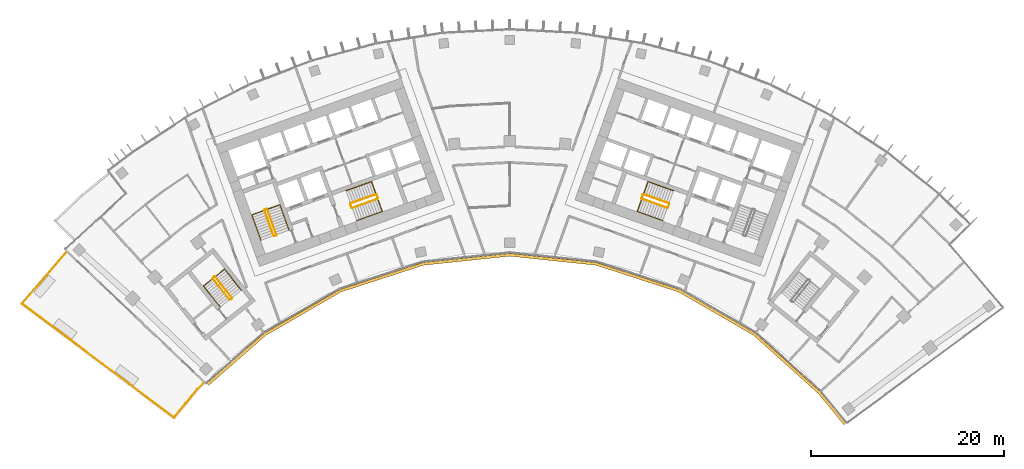
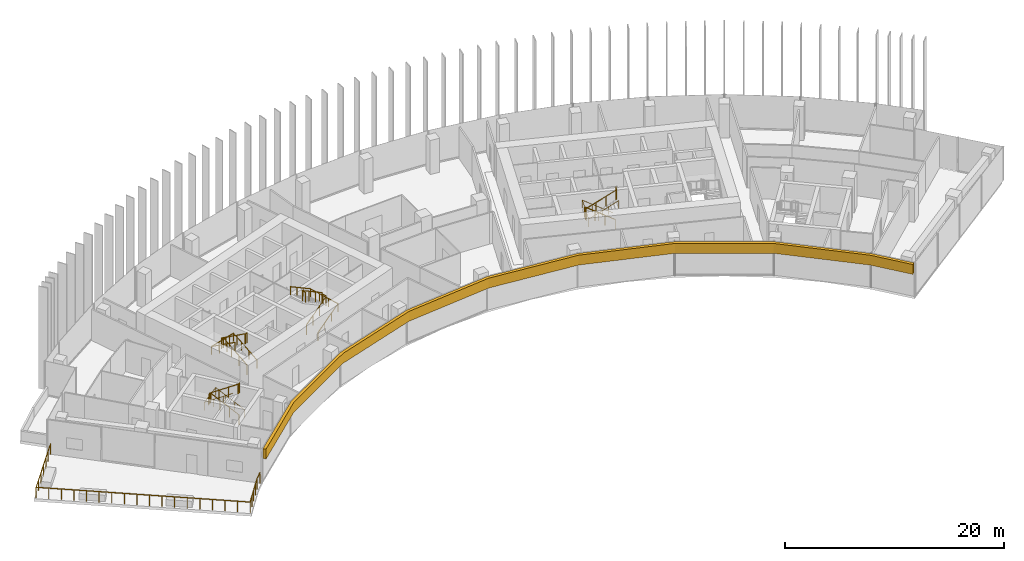
# One storey, part 19 of 20: 13 railings, 1 covering.
"""IFC4 building model written with IfcOpenShell, lengths in metres."""

from ifc_helpers import new_model, si_unit, direction, frame, origin, origin_2d, place, context, subcontext, project, spatial, polyline, circle, outline, extrude, material, layer, layer_set, type_object, element, save


model = new_model("IFC4")

# Units and contexts
model_context = context("Model", 3, precision=1e-05, world=origin(), true_north=direction((0.0, 1.0)))
body_context = subcontext(model_context, "Body", "Model", "MODEL_VIEW")
ifc_project = project(units=[si_unit("LENGTHUNIT", "METRE"), si_unit("AREAUNIT", "SQUARE_METRE"), si_unit("VOLUMEUNIT", "CUBIC_METRE"), si_unit("PLANEANGLEUNIT", "RADIAN"), si_unit("MASSUNIT", "GRAM", prefix="KILO")], contexts=[model_context])

# Site, building, storey
site_placement = place(None, origin())
site = spatial("IfcSite", under=ifc_project, at=site_placement, CompositionType="ELEMENT")
building_placement = place(site_placement, origin())
building = spatial("IfcBuilding", under=site, at=building_placement, Name="Stone Belt Terrace Tower", CompositionType="ELEMENT")
storey_placement = place(building_placement, frame((0.0, 0.0, 201.0)))
storey = spatial("IfcBuildingStorey", under=building, at=storey_placement, Name="L48", CompositionType="ELEMENT", Elevation=201.0)

# Railings
ifc_material_1 = material(Name="Structural steel C345", Category="steel")
railing_type_1 = type_object("IfcRailingType", Name="Stair guard 1100", PredefinedType="GUARDRAIL", material=ifc_material_1)
railing_1_placement = place(storey_placement, frame((-24.2119140625, 45.276123046875, 0.172607421875)))
element("IfcRailing", 1, at=railing_1_placement, inside=storey, type_object=railing_type_1, Name="L48 ST1A stair guard 1", PredefinedType="GUARDRAIL", context=body_context, shape_type="SweptSolid", body=[
    extrude(circle(Radius=0.02392578125, at=origin_2d()), frame((0.0, 0.0, 1.076171875), z_axis=(-0.288228637646, 0.800791768495, 0.525030280985), x_axis=(-0.940908529223, -0.338660803216, 0.0)), (0.0, 0.0, 1.0), 3.289794921875),
    extrude(circle(Radius=0.02392578125, at=origin_2d()), frame((-0.9482421875, 2.634521484375, 2.80322265625), z_axis=(-0.905209821074, 0.424964916, 0.0), x_axis=(-0.424964916, -0.905209821074, 0.0)), (0.0, 0.0, 1.0), 0.070556640625),
    extrude(circle(Radius=0.02392578125, at=origin_2d()), frame((-1.01220703125, 2.66455078125, 2.80322265625), z_axis=(-0.941105063269, -0.338114270461, 0.0), x_axis=(0.338114270461, -0.941105063269, 0.0)), (0.0, 0.0, 1.0), 0.199951171875),
    extrude(circle(Radius=0.02099609375, at=origin_2d()), origin(), (0.0, 0.0, 1.0), 1.052001953125),
    extrude(circle(Radius=0.02099609375, at=origin_2d()), frame((-0.316162109375, 0.878173828125, 0.57568359375)), (0.0, 0.0, 1.0), 1.052001953125),
    extrude(circle(Radius=0.02099609375, at=origin_2d()), frame((-0.632080078125, 1.75634765625, 1.151611328125)), (0.0, 0.0, 1.0), 1.052001953125),
    extrude(circle(Radius=0.02099609375, at=origin_2d()), frame((-0.9482421875, 2.634521484375, 1.727294921875)), (0.0, 0.0, 1.0), 1.052001953125),
    extrude(circle(Radius=0.02099609375, at=origin_2d()), frame((-1.01220703125, 2.66455078125, 1.727294921875)), (0.0, 0.0, 1.0), 1.052001953125),
    extrude(circle(Radius=0.02099609375, at=origin_2d()), frame((-1.200439453125, 2.596923828125, 1.727294921875)), (0.0, 0.0, 1.0), 1.052001953125),
])
railing_2_placement = place(storey_placement, frame((-25.4423828125, 47.80908203125, 2.07275390625)))
element("IfcRailing", 2, at=railing_2_placement, inside=storey, type_object=railing_type_1, Name="L48 ST1A stair guard 2", PredefinedType="GUARDRAIL", context=body_context, shape_type="SweptSolid", body=[
    extrude(circle(Radius=0.02392578125, at=origin_2d()), frame((0.0, 0.0, 1.076171875), z_axis=(0.288228637646, -0.800791768495, 0.525030280985), x_axis=(0.940908529223, 0.338660803216, 0.0)), (0.0, 0.0, 1.0), 3.289794921875),
    extrude(circle(Radius=0.02392578125, at=origin_2d()), frame((0.9482421875, -2.634521484375, 2.80322265625), z_axis=(0.903878284585, -0.427789722475, 0.0), x_axis=(0.427789722475, 0.903878284585, 0.0)), (0.0, 0.0, 1.0), 0.07080078125),
    extrude(circle(Radius=0.02392578125, at=origin_2d()), frame((1.01220703125, -2.664794921875, 2.80322265625), z_axis=(0.940575576748, 0.339584429008, 0.0), x_axis=(-0.339584429008, 0.940575576748, 0.0)), (0.0, 0.0, 1.0), 0.199951171875),
    extrude(circle(Radius=0.02099609375, at=origin_2d()), origin(), (0.0, 0.0, 1.0), 1.052001953125),
    extrude(circle(Radius=0.02099609375, at=origin_2d()), frame((0.316162109375, -0.878173828125, 0.57568359375)), (0.0, 0.0, 1.0), 1.052001953125),
    extrude(circle(Radius=0.02099609375, at=origin_2d()), frame((0.632080078125, -1.75634765625, 1.151611328125)), (0.0, 0.0, 1.0), 1.052001953125),
    extrude(circle(Radius=0.02099609375, at=origin_2d()), frame((0.9482421875, -2.634521484375, 1.727294921875)), (0.0, 0.0, 1.0), 1.052001953125),
    extrude(circle(Radius=0.02099609375, at=origin_2d()), frame((1.01220703125, -2.664794921875, 1.727294921875)), (0.0, 0.0, 1.0), 1.052001953125),
    extrude(circle(Radius=0.02099609375, at=origin_2d()), frame((1.2001953125, -2.596923828125, 1.727294921875)), (0.0, 0.0, 1.0), 1.052001953125),
])
railing_3_placement = place(storey_placement, frame((-16.33837890625, 48.056640625, 0.172607421875)))
element("IfcRailing", 3, at=railing_3_placement, inside=storey, type_object=railing_type_1, Name="L48 ST2A stair guard 1", PredefinedType="GUARDRAIL", context=body_context, shape_type="SweptSolid", body=[
    extrude(circle(Radius=0.02392578125, at=origin_2d()), frame((0.0, 0.0, 1.076171875), z_axis=(0.800808895155, 0.288160591223, 0.52504150989), x_axis=(-0.338583606334, 0.940936311087, 0.0)), (0.0, 0.0, 1.0), 3.289794921875),
    extrude(circle(Radius=0.02392578125, at=origin_2d()), frame((2.634521484375, 0.947998046875, 2.80322265625), z_axis=(0.427789722475, 0.903878284585, 0.0), x_axis=(-0.903878284585, 0.427789722475, 0.0)), (0.0, 0.0, 1.0), 0.07080078125),
    extrude(circle(Radius=0.02392578125, at=origin_2d()), frame((2.664794921875, 1.011962890625, 2.80322265625), z_axis=(-0.338654645739, 0.940910745459, 0.0), x_axis=(-0.940910745459, -0.338654645739, 0.0)), (0.0, 0.0, 1.0), 0.400146484375),
    extrude(circle(Radius=0.02099609375, at=origin_2d()), origin(), (0.0, 0.0, 1.0), 1.052001953125),
    extrude(circle(Radius=0.02099609375, at=origin_2d()), frame((0.878173828125, 0.31591796875, 0.57568359375)), (0.0, 0.0, 1.0), 1.052001953125),
    extrude(circle(Radius=0.02099609375, at=origin_2d()), frame((1.75634765625, 0.632080078125, 1.151611328125)), (0.0, 0.0, 1.0), 1.052001953125),
    extrude(circle(Radius=0.02099609375, at=origin_2d()), frame((2.634521484375, 0.947998046875, 1.727294921875)), (0.0, 0.0, 1.0), 1.052001953125),
    extrude(circle(Radius=0.02099609375, at=origin_2d()), frame((2.664794921875, 1.011962890625, 1.727294921875)), (0.0, 0.0, 1.0), 1.052001953125),
    extrude(circle(Radius=0.02099609375, at=origin_2d()), frame((2.529296875, 1.388427734375, 1.727294921875)), (0.0, 0.0, 1.0), 1.052001953125),
])
railing_4_placement = place(storey_placement, frame((-13.873046875, 49.47509765625, 2.07275390625)))
element("IfcRailing", 4, at=railing_4_placement, inside=storey, type_object=railing_type_1, Name="L48 ST2A stair guard 2", PredefinedType="GUARDRAIL", context=body_context, shape_type="SweptSolid", body=[
    extrude(circle(Radius=0.02392578125, at=origin_2d()), frame((0.0, 0.0, 1.076171875), z_axis=(-0.800808895155, -0.288160591223, 0.52504150989), x_axis=(0.338583606334, -0.940936311087, 0.0)), (0.0, 0.0, 1.0), 3.289794921875),
    extrude(circle(Radius=0.02392578125, at=origin_2d()), frame((-2.634521484375, -0.947998046875, 2.80322265625), z_axis=(-0.427789722475, -0.903878284585, 0.0), x_axis=(0.903878284585, -0.427789722475, 0.0)), (0.0, 0.0, 1.0), 0.07080078125),
    extrude(circle(Radius=0.02392578125, at=origin_2d()), frame((-2.664794921875, -1.011962890625, 2.80322265625), z_axis=(0.338654645739, -0.940910745459, 0.0), x_axis=(0.940910745459, 0.338654645739, 0.0)), (0.0, 0.0, 1.0), 0.400146484375),
    extrude(circle(Radius=0.02099609375, at=origin_2d()), origin(), (0.0, 0.0, 1.0), 1.052001953125),
    extrude(circle(Radius=0.02099609375, at=origin_2d()), frame((-0.878173828125, -0.31591796875, 0.57568359375)), (0.0, 0.0, 1.0), 1.052001953125),
    extrude(circle(Radius=0.02099609375, at=origin_2d()), frame((-1.75634765625, -0.632080078125, 1.151611328125)), (0.0, 0.0, 1.0), 1.052001953125),
    extrude(circle(Radius=0.02099609375, at=origin_2d()), frame((-2.634521484375, -0.947998046875, 1.727294921875)), (0.0, 0.0, 1.0), 1.052001953125),
    extrude(circle(Radius=0.02099609375, at=origin_2d()), frame((-2.664794921875, -1.011962890625, 1.727294921875)), (0.0, 0.0, 1.0), 1.052001953125),
    extrude(circle(Radius=0.02099609375, at=origin_2d()), frame((-2.529296875, -1.388427734375, 1.727294921875)), (0.0, 0.0, 1.0), 1.052001953125),
])
railing_5_placement = place(storey_placement, frame((16.507568359375, 48.527099609375, 0.172607421875)))
element("IfcRailing", 5, at=railing_5_placement, inside=storey, type_object=railing_type_1, Name="L48 ST2B stair guard 1", PredefinedType="GUARDRAIL", context=body_context, shape_type="SweptSolid", body=[
    extrude(circle(Radius=0.02392578125, at=origin_2d()), frame((0.0, 0.0, 1.076171875), z_axis=(-0.800808895155, 0.288160591223, 0.52504150989), x_axis=(-0.338583606334, -0.940936311087, 0.0)), (0.0, 0.0, 1.0), 3.289794921875),
    extrude(circle(Radius=0.02392578125, at=origin_2d()), frame((-2.634521484375, 0.947998046875, 2.80322265625), z_axis=(-0.905209821074, -0.424964916, 0.0), x_axis=(0.424964916, -0.905209821074, 0.0)), (0.0, 0.0, 1.0), 0.070556640625),
    extrude(circle(Radius=0.02392578125, at=origin_2d()), frame((-2.698486328125, 0.91796875, 2.80322265625), z_axis=(-0.338654645739, -0.940910745459, 0.0), x_axis=(0.940910745459, -0.338654645739, 0.0)), (0.0, 0.0, 1.0), 0.400146484375),
    extrude(circle(Radius=0.02099609375, at=origin_2d()), origin(), (0.0, 0.0, 1.0), 1.052001953125),
    extrude(circle(Radius=0.02099609375, at=origin_2d()), frame((-0.878173828125, 0.31591796875, 0.57568359375)), (0.0, 0.0, 1.0), 1.052001953125),
    extrude(circle(Radius=0.02099609375, at=origin_2d()), frame((-1.75634765625, 0.632080078125, 1.151611328125)), (0.0, 0.0, 1.0), 1.052001953125),
    extrude(circle(Radius=0.02099609375, at=origin_2d()), frame((-2.634521484375, 0.947998046875, 1.727294921875)), (0.0, 0.0, 1.0), 1.052001953125),
    extrude(circle(Radius=0.02099609375, at=origin_2d()), frame((-2.698486328125, 0.91796875, 1.727294921875)), (0.0, 0.0, 1.0), 1.052001953125),
    extrude(circle(Radius=0.02099609375, at=origin_2d()), frame((-2.833984375, 0.54150390625, 1.727294921875)), (0.0, 0.0, 1.0), 1.052001953125),
])
railing_6_placement = place(storey_placement, frame((13.703857421875, 49.004638671875, 2.07275390625)))
element("IfcRailing", 6, at=railing_6_placement, inside=storey, type_object=railing_type_1, Name="L48 ST2B stair guard 2", PredefinedType="GUARDRAIL", context=body_context, shape_type="SweptSolid", body=[
    extrude(circle(Radius=0.02392578125, at=origin_2d()), frame((0.0, 0.0, 1.076171875), z_axis=(0.800808895155, -0.288160591223, 0.52504150989), x_axis=(0.338583606334, 0.940936311087, 0.0)), (0.0, 0.0, 1.0), 3.289794921875),
    extrude(circle(Radius=0.02392578125, at=origin_2d()), frame((2.634521484375, -0.947998046875, 2.80322265625), z_axis=(0.905209821074, 0.424964916, 0.0), x_axis=(-0.424964916, 0.905209821074, 0.0)), (0.0, 0.0, 1.0), 0.070556640625),
    extrude(circle(Radius=0.02392578125, at=origin_2d()), frame((2.698486328125, -0.91796875, 2.80322265625), z_axis=(0.338654645739, 0.940910745459, 0.0), x_axis=(-0.940910745459, 0.338654645739, 0.0)), (0.0, 0.0, 1.0), 0.400146484375),
    extrude(circle(Radius=0.02099609375, at=origin_2d()), origin(), (0.0, 0.0, 1.0), 1.052001953125),
    extrude(circle(Radius=0.02099609375, at=origin_2d()), frame((0.878173828125, -0.31591796875, 0.57568359375)), (0.0, 0.0, 1.0), 1.052001953125),
    extrude(circle(Radius=0.02099609375, at=origin_2d()), frame((1.75634765625, -0.632080078125, 1.151611328125)), (0.0, 0.0, 1.0), 1.052001953125),
    extrude(circle(Radius=0.02099609375, at=origin_2d()), frame((2.634521484375, -0.947998046875, 1.727294921875)), (0.0, 0.0, 1.0), 1.052001953125),
    extrude(circle(Radius=0.02099609375, at=origin_2d()), frame((2.698486328125, -0.91796875, 1.727294921875)), (0.0, 0.0, 1.0), 1.052001953125),
    extrude(circle(Radius=0.02099609375, at=origin_2d()), frame((2.833984375, -0.54150390625, 1.727294921875)), (0.0, 0.0, 1.0), 1.052001953125),
])
railing_7_placement = place(storey_placement, frame((-28.814208984375, 38.734619140625, 0.172607421875)))
element("IfcRailing", 7, at=railing_7_placement, inside=storey, type_object=railing_type_1, Name="L48 ST3A stair guard 1", PredefinedType="GUARDRAIL", context=body_context, shape_type="SweptSolid", body=[
    extrude(circle(Radius=0.02392578125, at=origin_2d()), frame((0.0, 0.0, 1.076171875), z_axis=(-0.530306321799, 0.665665785969, 0.525037395288), x_axis=(-0.782143211408, -0.623098705543, 0.0)), (0.0, 0.0, 1.0), 3.289794921875),
    extrude(circle(Radius=0.02392578125, at=origin_2d()), frame((-1.74462890625, 2.18994140625, 2.80322265625), z_axis=(-0.993883734674, 0.110431526075, 0.0), x_axis=(-0.110431526075, -0.993883734674, 0.0)), (0.0, 0.0, 1.0), 0.07080078125),
    extrude(circle(Radius=0.02392578125, at=origin_2d()), frame((-1.81494140625, 2.19775390625, 2.80322265625), z_axis=(-0.782533463299, -0.622608527742, 0.0), x_axis=(0.622608527742, -0.782533463299, 0.0)), (0.0, 0.0, 1.0), 0.199951171875),
    extrude(circle(Radius=0.02099609375, at=origin_2d()), origin(), (0.0, 0.0, 1.0), 1.052001953125),
    extrude(circle(Radius=0.02099609375, at=origin_2d()), frame((-0.58154296875, 0.72998046875, 0.57568359375)), (0.0, 0.0, 1.0), 1.052001953125),
    extrude(circle(Radius=0.02099609375, at=origin_2d()), frame((-1.1630859375, 1.4599609375, 1.151611328125)), (0.0, 0.0, 1.0), 1.052001953125),
    extrude(circle(Radius=0.02099609375, at=origin_2d()), frame((-1.74462890625, 2.18994140625, 1.727294921875)), (0.0, 0.0, 1.0), 1.052001953125),
    extrude(circle(Radius=0.02099609375, at=origin_2d()), frame((-1.81494140625, 2.19775390625, 1.727294921875)), (0.0, 0.0, 1.0), 1.052001953125),
    extrude(circle(Radius=0.02099609375, at=origin_2d()), frame((-1.971435546875, 2.0732421875, 1.727294921875)), (0.0, 0.0, 1.0), 1.052001953125),
])
railing_8_placement = place(storey_placement, frame((-30.793701171875, 40.737548828125, 2.07275390625)))
element("IfcRailing", 8, at=railing_8_placement, inside=storey, type_object=railing_type_1, Name="L48 ST3A stair guard 2", PredefinedType="GUARDRAIL", context=body_context, shape_type="SweptSolid", body=[
    extrude(circle(Radius=0.02392578125, at=origin_2d()), frame((0.0, 0.0, 1.076171875), z_axis=(0.530359659125, -0.665639588968, 0.525016732659), x_axis=(0.782100716982, 0.62315204284, 0.0)), (0.0, 0.0, 1.0), 3.2900390625),
    extrude(circle(Radius=0.02392578125, at=origin_2d()), frame((1.744873046875, -2.18994140625, 2.80322265625), z_axis=(0.993499272973, -0.113838458361, 0.0), x_axis=(0.113838458361, 0.993499272973, 0.0)), (0.0, 0.0, 1.0), 0.07080078125),
    extrude(circle(Radius=0.02392578125, at=origin_2d()), frame((1.815185546875, -2.197998046875, 2.80322265625), z_axis=(0.781464082609, 0.623950228458, 0.0), x_axis=(-0.623950228458, 0.781464082609, 0.0)), (0.0, 0.0, 1.0), 0.199951171875),
    extrude(circle(Radius=0.02099609375, at=origin_2d()), origin(), (0.0, 0.0, 1.0), 1.052001953125),
    extrude(circle(Radius=0.02099609375, at=origin_2d()), frame((0.58154296875, -0.72998046875, 0.57568359375)), (0.0, 0.0, 1.0), 1.052001953125),
    extrude(circle(Radius=0.02099609375, at=origin_2d()), frame((1.163330078125, -1.4599609375, 1.151611328125)), (0.0, 0.0, 1.0), 1.052001953125),
    extrude(circle(Radius=0.02099609375, at=origin_2d()), frame((1.744873046875, -2.18994140625, 1.727294921875)), (0.0, 0.0, 1.0), 1.052001953125),
    extrude(circle(Radius=0.02099609375, at=origin_2d()), frame((1.815185546875, -2.197998046875, 1.727294921875)), (0.0, 0.0, 1.0), 1.052001953125),
    extrude(circle(Radius=0.02099609375, at=origin_2d()), frame((1.971435546875, -2.0732421875, 1.727294921875)), (0.0, 0.0, 1.0), 1.052001953125),
])
railing_type_2 = type_object("IfcRailingType", Name="Stair handrail 900", PredefinedType="HANDRAIL", material=ifc_material_1)
railing_9_placement = place(storey_placement, frame((-22.894775390625, 45.750244140625, 0.172607421875)))
element("IfcRailing", 9, at=railing_9_placement, inside=storey, type_object=railing_type_2, Name="L48 ST1A stair handrail 1", PredefinedType="HANDRAIL", context=body_context, shape_type="SweptSolid", body=[
    extrude(circle(Radius=0.02392578125, at=origin_2d()), frame((0.0, 0.0, 0.8759765625), z_axis=(-0.288160591223, 0.800808895155, 0.52504150989), x_axis=(-0.940936311087, -0.338583606334, 0.0)), (0.0, 0.0, 1.0), 3.289794921875),
    extrude(circle(Radius=0.02392578125, at=origin_2d()), frame((-0.947998046875, 2.634521484375, 2.60302734375), z_axis=(-0.939460408074, -0.338105101667, 0.055669398135), x_axis=(0.338630230244, -0.940919532779, 0.0)), (0.0, 0.0, 1.0), 3.10498046875),
    extrude(circle(Radius=0.02392578125, at=origin_2d()), frame((-3.864990234375, 1.584716796875, 2.77587890625), z_axis=(0.288228637646, -0.800791768495, 0.525030280985), x_axis=(0.940908529223, 0.338660803216, 0.0)), (0.0, 0.0, 1.0), 3.289794921875),
    extrude(circle(Radius=0.02099609375, at=origin_2d()), origin(), (0.0, 0.0, 1.0), 0.851806640625),
    extrude(circle(Radius=0.02099609375, at=origin_2d()), frame((-0.31591796875, 0.878173828125, 0.57568359375)), (0.0, 0.0, 1.0), 0.851806640625),
    extrude(circle(Radius=0.02099609375, at=origin_2d()), frame((-0.632080078125, 1.75634765625, 1.151611328125)), (0.0, 0.0, 1.0), 0.851806640625),
    extrude(circle(Radius=0.02099609375, at=origin_2d()), frame((-0.947998046875, 2.634521484375, 1.727294921875)), (0.0, 0.0, 1.0), 0.851806640625),
    extrude(circle(Radius=0.02099609375, at=origin_2d()), frame((-1.92041015625, 2.28466796875, 1.784912109375)), (0.0, 0.0, 1.0), 0.851806640625),
    extrude(circle(Radius=0.02099609375, at=origin_2d()), frame((-2.892578125, 1.9345703125, 1.842529296875)), (0.0, 0.0, 1.0), 0.851806640625),
    extrude(circle(Radius=0.02099609375, at=origin_2d()), frame((-3.864990234375, 1.584716796875, 1.900146484375)), (0.0, 0.0, 1.0), 0.851806640625),
    extrude(circle(Radius=0.02099609375, at=origin_2d()), frame((-3.548828125, 0.70654296875, 2.475830078125)), (0.0, 0.0, 1.0), 0.851806640625),
    extrude(circle(Radius=0.02099609375, at=origin_2d()), frame((-3.23291015625, -0.171630859375, 3.0517578125)), (0.0, 0.0, 1.0), 0.851806640625),
    extrude(circle(Radius=0.02099609375, at=origin_2d()), frame((-2.916748046875, -1.0498046875, 3.62744140625)), (0.0, 0.0, 1.0), 0.851806640625),
])
railing_10_placement = place(storey_placement, frame((-15.8642578125, 46.7392578125, 0.172607421875)))
element("IfcRailing", 10, at=railing_10_placement, inside=storey, type_object=railing_type_2, Name="L48 ST2A stair handrail 1", PredefinedType="HANDRAIL", context=body_context, shape_type="SweptSolid", body=[
    extrude(circle(Radius=0.02392578125, at=origin_2d()), frame((0.0, 0.0, 0.8759765625), z_axis=(0.800791768495, 0.288228637646, 0.525030280985), x_axis=(-0.338660803216, 0.940908529223, 0.0)), (0.0, 0.0, 1.0), 3.289794921875),
    extrude(circle(Radius=0.02392578125, at=origin_2d()), frame((2.634521484375, 0.9482421875, 2.60302734375), z_axis=(-0.338158948057, 0.939634149308, 0.052308615955), x_axis=(-0.940922302781, -0.338622533404, 0.0)), (0.0, 0.0, 1.0), 3.304443359375),
    extrude(circle(Radius=0.02392578125, at=origin_2d()), frame((1.51708984375, 4.05322265625, 2.77587890625), z_axis=(-0.800791768495, -0.288228637646, 0.525030280985), x_axis=(0.338660803216, -0.940908529223, 0.0)), (0.0, 0.0, 1.0), 3.289794921875),
    extrude(circle(Radius=0.02099609375, at=origin_2d()), origin(), (0.0, 0.0, 1.0), 0.851806640625),
    extrude(circle(Radius=0.02099609375, at=origin_2d()), frame((0.878173828125, 0.316162109375, 0.57568359375)), (0.0, 0.0, 1.0), 0.851806640625),
    extrude(circle(Radius=0.02099609375, at=origin_2d()), frame((1.75634765625, 0.632080078125, 1.151611328125)), (0.0, 0.0, 1.0), 0.851806640625),
    extrude(circle(Radius=0.02099609375, at=origin_2d()), frame((2.634521484375, 0.9482421875, 1.727294921875)), (0.0, 0.0, 1.0), 0.851806640625),
    extrude(circle(Radius=0.02099609375, at=origin_2d()), frame((2.261962890625, 1.983154296875, 1.784912109375)), (0.0, 0.0, 1.0), 0.851806640625),
    extrude(circle(Radius=0.02099609375, at=origin_2d()), frame((1.8896484375, 3.018310546875, 1.842529296875)), (0.0, 0.0, 1.0), 0.851806640625),
    extrude(circle(Radius=0.02099609375, at=origin_2d()), frame((1.51708984375, 4.05322265625, 1.900146484375)), (0.0, 0.0, 1.0), 0.851806640625),
    extrude(circle(Radius=0.02099609375, at=origin_2d()), frame((0.638916015625, 3.737060546875, 2.475830078125)), (0.0, 0.0, 1.0), 0.851806640625),
    extrude(circle(Radius=0.02099609375, at=origin_2d()), frame((-0.2392578125, 3.421142578125, 3.0517578125)), (0.0, 0.0, 1.0), 0.851806640625),
    extrude(circle(Radius=0.02099609375, at=origin_2d()), frame((-1.117431640625, 3.10498046875, 3.62744140625)), (0.0, 0.0, 1.0), 0.851806640625),
])
railing_11_placement = place(storey_placement, frame((16.981689453125, 49.84423828125, 0.172607421875)))
element("IfcRailing", 11, at=railing_11_placement, inside=storey, type_object=railing_type_2, Name="L48 ST2B stair handrail 1", PredefinedType="HANDRAIL", context=body_context, shape_type="SweptSolid", body=[
    extrude(circle(Radius=0.02392578125, at=origin_2d()), frame((0.0, 0.0, 0.8759765625), z_axis=(-0.800791768495, 0.288228637646, 0.525030280985), x_axis=(-0.338660803216, -0.940908529223, 0.0)), (0.0, 0.0, 1.0), 3.289794921875),
    extrude(circle(Radius=0.02392578125, at=origin_2d()), frame((-2.634521484375, 0.9482421875, 2.60302734375), z_axis=(-0.338158948057, -0.939634149308, 0.052308615955), x_axis=(0.940922302781, -0.338622533404, 0.0)), (0.0, 0.0, 1.0), 3.304443359375),
    extrude(circle(Radius=0.02392578125, at=origin_2d()), frame((-3.751953125, -2.15673828125, 2.77587890625), z_axis=(0.800791768495, -0.288228637646, 0.525030280985), x_axis=(0.338660803216, 0.940908529223, 0.0)), (0.0, 0.0, 1.0), 3.289794921875),
    extrude(circle(Radius=0.02099609375, at=origin_2d()), origin(), (0.0, 0.0, 1.0), 0.851806640625),
    extrude(circle(Radius=0.02099609375, at=origin_2d()), frame((-0.878173828125, 0.316162109375, 0.57568359375)), (0.0, 0.0, 1.0), 0.851806640625),
    extrude(circle(Radius=0.02099609375, at=origin_2d()), frame((-1.75634765625, 0.632080078125, 1.151611328125)), (0.0, 0.0, 1.0), 0.851806640625),
    extrude(circle(Radius=0.02099609375, at=origin_2d()), frame((-2.634521484375, 0.9482421875, 1.727294921875)), (0.0, 0.0, 1.0), 0.851806640625),
    extrude(circle(Radius=0.02099609375, at=origin_2d()), frame((-3.007080078125, -0.086669921875, 1.784912109375)), (0.0, 0.0, 1.0), 0.851806640625),
    extrude(circle(Radius=0.02099609375, at=origin_2d()), frame((-3.37939453125, -1.121826171875, 1.842529296875)), (0.0, 0.0, 1.0), 0.851806640625),
    extrude(circle(Radius=0.02099609375, at=origin_2d()), frame((-3.751953125, -2.15673828125, 1.900146484375)), (0.0, 0.0, 1.0), 0.851806640625),
    extrude(circle(Radius=0.02099609375, at=origin_2d()), frame((-2.873779296875, -2.472900390625, 2.475830078125)), (0.0, 0.0, 1.0), 0.851806640625),
    extrude(circle(Radius=0.02099609375, at=origin_2d()), frame((-1.99560546875, -2.788818359375, 3.0517578125)), (0.0, 0.0, 1.0), 0.851806640625),
    extrude(circle(Radius=0.02099609375, at=origin_2d()), frame((-1.117431640625, -3.10498046875, 3.62744140625)), (0.0, 0.0, 1.0), 0.851806640625),
])
railing_12_placement = place(storey_placement, frame((-27.836669921875, 39.513427734375, 0.172607421875)))
element("IfcRailing", 12, at=railing_12_placement, inside=storey, type_object=railing_type_2, Name="L48 ST3A stair handrail 1", PredefinedType="HANDRAIL", context=body_context, shape_type="SweptSolid", body=[
    extrude(circle(Radius=0.02392578125, at=origin_2d()), frame((0.0, 0.0, 0.8759765625), z_axis=(-0.530306321799, 0.665665785969, 0.525037395288), x_axis=(-0.782143211408, -0.623098705543, 0.0)), (0.0, 0.0, 1.0), 3.289794921875),
    extrude(circle(Radius=0.02392578125, at=origin_2d()), frame((-1.74462890625, 2.18994140625, 2.60302734375), z_axis=(-0.78065703189, -0.621914732429, 0.061617076765), x_axis=(0.623098705543, -0.782143211408, 0.0)), (0.0, 0.0, 1.0), 2.80517578125),
    extrude(circle(Radius=0.02392578125, at=origin_2d()), frame((-3.9345703125, 0.4453125, 2.77587890625), z_axis=(0.530306321799, -0.665665785969, 0.525037395288), x_axis=(0.782143211408, 0.623098705543, 0.0)), (0.0, 0.0, 1.0), 3.289794921875),
    extrude(circle(Radius=0.02099609375, at=origin_2d()), origin(), (0.0, 0.0, 1.0), 0.851806640625),
    extrude(circle(Radius=0.02099609375, at=origin_2d()), frame((-0.58154296875, 0.72998046875, 0.57568359375)), (0.0, 0.0, 1.0), 0.851806640625),
    extrude(circle(Radius=0.02099609375, at=origin_2d()), frame((-1.1630859375, 1.4599609375, 1.151611328125)), (0.0, 0.0, 1.0), 0.851806640625),
    extrude(circle(Radius=0.02099609375, at=origin_2d()), frame((-1.74462890625, 2.18994140625, 1.727294921875)), (0.0, 0.0, 1.0), 0.851806640625),
    extrude(circle(Radius=0.02099609375, at=origin_2d()), frame((-2.474609375, 1.6083984375, 1.784912109375)), (0.0, 0.0, 1.0), 0.851806640625),
    extrude(circle(Radius=0.02099609375, at=origin_2d()), frame((-3.20458984375, 1.02685546875, 1.842529296875)), (0.0, 0.0, 1.0), 0.851806640625),
    extrude(circle(Radius=0.02099609375, at=origin_2d()), frame((-3.9345703125, 0.4453125, 1.900146484375)), (0.0, 0.0, 1.0), 0.851806640625),
    extrude(circle(Radius=0.02099609375, at=origin_2d()), frame((-3.35302734375, -0.28466796875, 2.475830078125)), (0.0, 0.0, 1.0), 0.851806640625),
    extrude(circle(Radius=0.02099609375, at=origin_2d()), frame((-2.771484375, -1.0146484375, 3.0517578125)), (0.0, 0.0, 1.0), 0.851806640625),
    extrude(circle(Radius=0.02099609375, at=origin_2d()), frame((-2.18994140625, -1.74462890625, 3.62744140625)), (0.0, 0.0, 1.0), 0.851806640625),
])
ifc_material_2 = material(Name="Stainless steel AISI 304", Category="steel")
railing_type_3 = type_object("IfcRailingType", Name="Terrace guard 1200", PredefinedType="GUARDRAIL", material=ifc_material_2)
railing_13_placement = place(storey_placement, frame((-45.970458984375, 43.4755859375, 0.0)))
element("IfcRailing", 13, at=railing_13_placement, inside=storey, type_object=railing_type_3, Name="GUARD L48 1.1", PredefinedType="GUARDRAIL", context=body_context, shape_type="SweptSolid", body=[
    extrude(circle(Radius=0.02490234375, at=origin_2d()), frame((0.0, 0.0, 1.1748046875), z_axis=(-0.652741989614, -0.757580289471, 0.0), x_axis=(0.757580289471, -0.652741989614, 0.0)), (0.0, 0.0, 1.0), 7.06298828125),
    extrude(circle(Radius=0.02490234375, at=origin_2d()), frame((-4.6103515625, -5.350830078125, 1.1748046875), z_axis=(0.799989587706, -0.600013882807, 0.0), x_axis=(0.600013882807, 0.799989587706, 0.0)), (0.0, 0.0, 1.0), 19.696044921875),
    extrude(circle(Radius=0.02490234375, at=origin_2d()), frame((11.146240234375, -17.168701171875, 1.1748046875), z_axis=(0.635242403601, 0.772312817883, 0.0), x_axis=(-0.772312817883, 0.635242403601, 0.0)), (0.0, 0.0, 1.0), 3.75634765625),
    extrude(circle(Radius=0.02490234375, at=origin_2d()), frame((13.532470703125, -14.267578125, 1.1748046875), z_axis=(0.707106781187, 0.707106781187, 0.0), x_axis=(-0.707106781187, 0.707106781187, 0.0)), (0.0, 0.0, 1.0), 1.021728515625),
    extrude(circle(Radius=0.02001953125, at=origin_2d()), origin(), (0.0, 0.0, 1.0), 1.14990234375),
    extrude(circle(Radius=0.02001953125, at=origin_2d()), frame((-0.768310546875, -0.891845703125, 0.0)), (0.0, 0.0, 1.0), 1.14990234375),
    extrude(circle(Radius=0.02001953125, at=origin_2d()), frame((-1.536865234375, -1.78369140625, 0.0)), (0.0, 0.0, 1.0), 1.14990234375),
    extrude(circle(Radius=0.02001953125, at=origin_2d()), frame((-2.30517578125, -2.67529296875, 0.0)), (0.0, 0.0, 1.0), 1.14990234375),
    extrude(circle(Radius=0.02001953125, at=origin_2d()), frame((-3.073486328125, -3.567138671875, 0.0)), (0.0, 0.0, 1.0), 1.14990234375),
    extrude(circle(Radius=0.02001953125, at=origin_2d()), frame((-3.842041015625, -4.458984375, 0.0)), (0.0, 0.0, 1.0), 1.14990234375),
    extrude(circle(Radius=0.02001953125, at=origin_2d()), frame((-4.6103515625, -5.350830078125, 0.0)), (0.0, 0.0, 1.0), 1.14990234375),
    extrude(circle(Radius=0.02001953125, at=origin_2d()), frame((-3.68359375, -6.0458984375, 0.0)), (0.0, 0.0, 1.0), 1.14990234375),
    extrude(circle(Radius=0.02001953125, at=origin_2d()), frame((-2.756591796875, -6.7412109375, 0.0)), (0.0, 0.0, 1.0), 1.14990234375),
    extrude(circle(Radius=0.02001953125, at=origin_2d()), frame((-1.829833984375, -7.436279296875, 0.0)), (0.0, 0.0, 1.0), 1.14990234375),
    extrude(circle(Radius=0.02001953125, at=origin_2d()), frame((-0.90283203125, -8.131591796875, 0.0)), (0.0, 0.0, 1.0), 1.14990234375),
    extrude(circle(Radius=0.02001953125, at=origin_2d()), frame((0.02392578125, -8.82666015625, 0.0)), (0.0, 0.0, 1.0), 1.14990234375),
    extrude(circle(Radius=0.02001953125, at=origin_2d()), frame((0.95068359375, -9.521728515625, 0.0)), (0.0, 0.0, 1.0), 1.14990234375),
    extrude(circle(Radius=0.02001953125, at=origin_2d()), frame((1.877685546875, -10.217041015625, 0.0)), (0.0, 0.0, 1.0), 1.14990234375),
    extrude(circle(Radius=0.02001953125, at=origin_2d()), frame((2.804443359375, -10.912109375, 0.0)), (0.0, 0.0, 1.0), 1.14990234375),
    extrude(circle(Radius=0.02001953125, at=origin_2d()), frame((3.7314453125, -11.607421875, 0.0)), (0.0, 0.0, 1.0), 1.14990234375),
    extrude(circle(Radius=0.02001953125, at=origin_2d()), frame((4.658203125, -12.302490234375, 0.0)), (0.0, 0.0, 1.0), 1.14990234375),
    extrude(circle(Radius=0.02001953125, at=origin_2d()), frame((5.585205078125, -12.997802734375, 0.0)), (0.0, 0.0, 1.0), 1.14990234375),
    extrude(circle(Radius=0.02001953125, at=origin_2d()), frame((6.511962890625, -13.69287109375, 0.0)), (0.0, 0.0, 1.0), 1.14990234375),
    extrude(circle(Radius=0.02001953125, at=origin_2d()), frame((7.438720703125, -14.387939453125, 0.0)), (0.0, 0.0, 1.0), 1.14990234375),
    extrude(circle(Radius=0.02001953125, at=origin_2d()), frame((8.36572265625, -15.083251953125, 0.0)), (0.0, 0.0, 1.0), 1.14990234375),
    extrude(circle(Radius=0.02001953125, at=origin_2d()), frame((9.29248046875, -15.7783203125, 0.0)), (0.0, 0.0, 1.0), 1.14990234375),
    extrude(circle(Radius=0.02001953125, at=origin_2d()), frame((10.219482421875, -16.4736328125, 0.0)), (0.0, 0.0, 1.0), 1.14990234375),
    extrude(circle(Radius=0.02001953125, at=origin_2d()), frame((11.146240234375, -17.168701171875, 0.0)), (0.0, 0.0, 1.0), 1.14990234375),
    extrude(circle(Radius=0.02001953125, at=origin_2d()), frame((11.74267578125, -16.443359375, 0.0)), (0.0, 0.0, 1.0), 1.14990234375),
    extrude(circle(Radius=0.02001953125, at=origin_2d()), frame((12.33935546875, -15.71826171875, 0.0)), (0.0, 0.0, 1.0), 1.14990234375),
    extrude(circle(Radius=0.02001953125, at=origin_2d()), frame((12.93603515625, -14.992919921875, 0.0)), (0.0, 0.0, 1.0), 1.14990234375),
    extrude(circle(Radius=0.02001953125, at=origin_2d()), frame((13.532470703125, -14.267578125, 0.0)), (0.0, 0.0, 1.0), 1.14990234375),
    extrude(circle(Radius=0.02001953125, at=origin_2d()), frame((14.2548828125, -13.545166015625, 0.0)), (0.0, 0.0, 1.0), 1.14990234375),
])

# Covering
ifc_material_3 = material(Name="Terracotta coloured glazed ceramic", Category="masonry")
ifc_layer = layer(ifc_material_3, 0.300048828125)
ifc_layer_set = layer_set([ifc_layer], Name="Terracotta spandrel band 300 x 1100")
covering_type = type_object("IfcCoveringType", Name="Terracotta spandrel band 300 x 1100", PredefinedType="CLADDING", material=ifc_layer_set)
covering_placement = place(storey_placement, frame((0.0, 0.0, 2.699951171875)))
element("IfcCovering", 14, at=covering_placement, inside=storey, type_object=covering_type, Name="BAND L48", PredefinedType="CLADDING", context=body_context, shape_type="SweptSolid", body=[
    extrude(outline(polyline([(-31.434814453125, 29.851806640625), (-25.48095703125, 35.06982421875), (-17.631591796875, 39.6015625), (-9.0126953125, 42.40185546875), (0.0, 43.34912109375), (9.0126953125, 42.40185546875), (17.631591796875, 39.6015625), (25.47998046875, 35.0703125), (32.2177734375, 29.00341796875), (34.8720703125, 25.752197265625), (34.6396484375, 25.5625), (32.0, 28.7958984375), (25.302734375, 34.826171875), (17.509033203125, 39.325927734375), (8.9501953125, 42.10693359375), (0.0, 43.047607421875), (-8.9501953125, 42.10693359375), (-17.509033203125, 39.325927734375), (-25.305419921875, 34.82470703125), (-31.237060546875, 29.626220703125), (-31.434814453125, 29.851806640625)])), origin(), (0.0, 0.0, 1.0), 1.10009765625),
])

save(model, "model.ifc")
